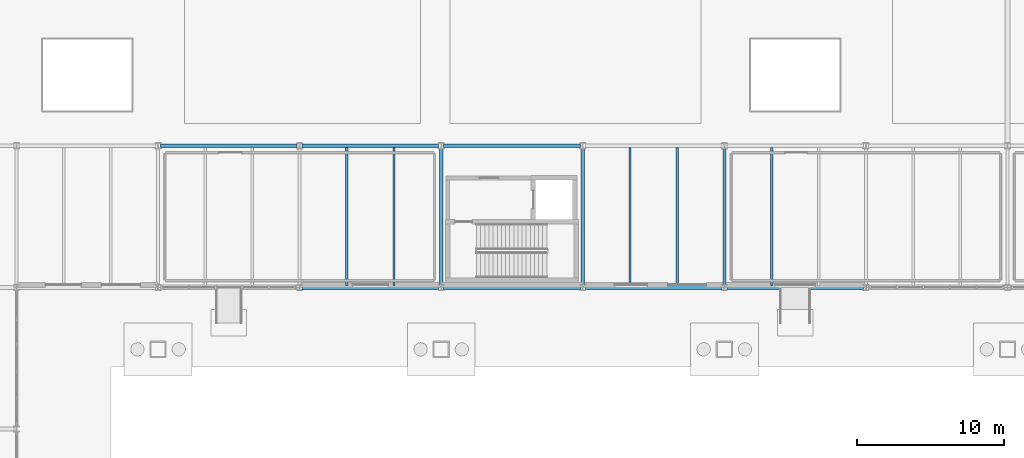
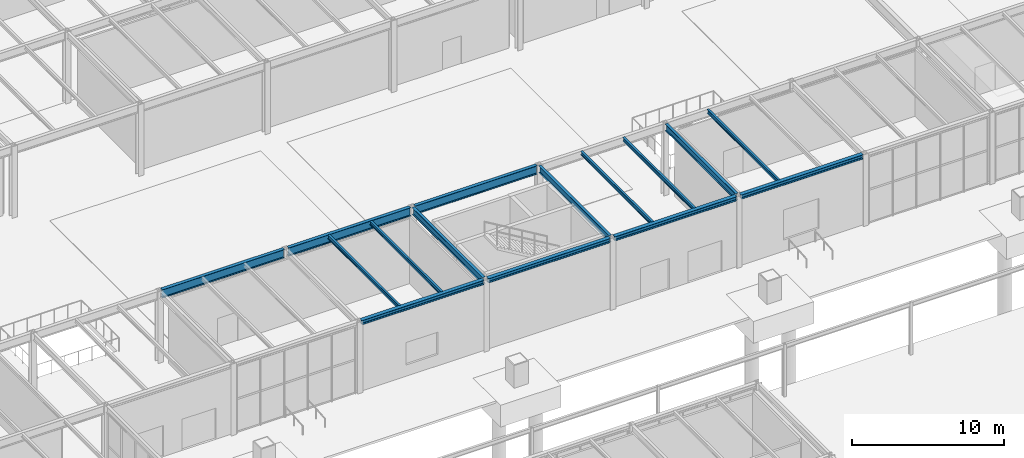
# One storey, part 67 of 142: 15 beams.
"""IFC4 building model written with IfcOpenShell, lengths in metres."""

import ifcopenshell
import ifcopenshell.guid

model = None  # the IFC model being written
_history = None  # IfcOwnerHistory: only IFC2X3 demands one
_inside = {}  # id of a spatial element -> (the spatial element, [elements in it])
_under = {}  # id of a project, library or spatial element -> (it, [spatial elements below it])
_declared = {}  # id of a project -> (the project, [libraries it declares])
_typed = {}  # id of a type object -> (the type object, [elements of that type])
_made_of = {}  # id of a material, layer set ... -> (it, [elements and type objects made of it])


def new_model(schema):
    """Start an empty IFC model of exactly this schema.

    Asked for "IFC4X3", IfcOpenShell would pick the latest addendum, in which some entities
    have other attributes; the version numbers below select the first issue.
    IFC2X3 requires an IfcOwnerHistory on every rooted entity: one is made here for all.
    """
    global model, _history
    if schema == "IFC4X3":
        model = ifcopenshell.file(schema_version=(4, 3, 0, 0))
    else:
        model = ifcopenshell.file(schema=schema)
    _inside.clear()
    _under.clear()
    _declared.clear()
    _typed.clear()
    _made_of.clear()
    _history = None
    if model.schema == "IFC2X3":
        org = make("IfcOrganization", Name="unknown")
        user = make(
            "IfcPersonAndOrganization",
            ThePerson=make("IfcPerson", FamilyName="unknown"),
            TheOrganization=org,
        )
        app = make(
            "IfcApplication",
            ApplicationDeveloper=org,
            Version="unknown",
            ApplicationFullName="unknown",
            ApplicationIdentifier="unknown",
        )
        _history = make(
            "IfcOwnerHistory",
            OwningUser=user,
            OwningApplication=app,
            ChangeAction="ADDED",
            CreationDate=0,
        )
    return model


def make(cls, **values):
    """One entity of the class cls with the attributes given. An attribute that is None is left unset."""
    return model.create_entity(
        cls, **{name: value for name, value in values.items() if value is not None}
    )


def rooted(cls, **values):
    """An entity with a GlobalId (a new one), such as an element, a storey or a relation."""
    return make(cls, GlobalId=ifcopenshell.guid.new(), OwnerHistory=_history, **values)


def si_unit(unit_type, name, prefix=None):
    """IfcSIUnit, for example si_unit("LENGTHUNIT", "METRE", prefix="MILLI")."""
    return make("IfcSIUnit", UnitType=unit_type, Prefix=prefix, Name=name)


def assignment(units):
    """IfcUnitAssignment: the units of a project."""
    return None if units is None else make("IfcUnitAssignment", Units=units)


def point(xyz):
    """IfcCartesianPoint."""
    return None if xyz is None else make("IfcCartesianPoint", Coordinates=xyz)


def direction(xyz):
    """IfcDirection."""
    return None if xyz is None else make("IfcDirection", DirectionRatios=xyz)


def frame(location, z_axis=None, x_axis=None):
    """IfcAxis2Placement3D, a coordinate frame: its origin and axes. An axis left out is left unset."""
    return make(
        "IfcAxis2Placement3D",
        Location=point(location),
        Axis=direction(z_axis),
        RefDirection=direction(x_axis),
    )


def frame_2d(location, x_axis=None):
    """IfcAxis2Placement2D, a coordinate frame in the plane: its origin and x axis."""
    return make(
        "IfcAxis2Placement2D", Location=point(location), RefDirection=direction(x_axis)
    )


def origin():
    """The frame at (0, 0, 0) with its axes left unset."""
    return frame((0.0, 0.0, 0.0))


def origin_2d():
    """The frame at (0, 0) in the plane with its x axis left unset."""
    return frame_2d((0.0, 0.0))


def place(relative_to, where):
    """IfcLocalPlacement: puts the frame where relative to a parent placement (None: the world)."""
    return make(
        "IfcLocalPlacement", PlacementRelTo=relative_to, RelativePlacement=where
    )


def context(
    kind, dimensions, precision=None, world=None, true_north=None, identifier=None
):
    """IfcGeometricRepresentationContext, for example the 3D "Model" context."""
    return make(
        "IfcGeometricRepresentationContext",
        ContextIdentifier=identifier,
        ContextType=kind,
        CoordinateSpaceDimension=dimensions,
        Precision=precision,
        WorldCoordinateSystem=world,
        TrueNorth=true_north,
    )


def subcontext(parent, identifier, kind, view, scale=None):
    """IfcGeometricRepresentationSubContext, for example "Body" below "Model"."""
    return make(
        "IfcGeometricRepresentationSubContext",
        ContextIdentifier=identifier,
        ContextType=kind,
        ParentContext=parent,
        TargetScale=scale,
        TargetView=view,
    )


def project(units=None, contexts=None):
    """IfcProject with its units and contexts."""
    return rooted(
        "IfcProject",
        Name="project",
        RepresentationContexts=contexts,
        UnitsInContext=assignment(units),
    )


def spatial(cls, under=None, at=None, **own):
    """A site, building, storey or space (cls), placed at a placement, below another one or the project."""
    s = rooted(cls, ObjectPlacement=at, **own)
    if under is not None:
        _under.setdefault(under.id(), (under, []))[1].append(s)
    return s


def profile(cls, at=None, kind="AREA", **sizes):
    """A parametric profile (cls). Its sizes go by their IFC names, for example OverallWidth=200.0."""
    return make(cls, ProfileType=kind, Position=at, **sizes)


def i_section(**sizes):
    """IfcIShapeProfileDef."""
    return profile("IfcIShapeProfileDef", **sizes)


def extrude(swept, where, along, depth):
    """IfcExtrudedAreaSolid: the profile swept, set in the frame where, extruded along a direction by depth."""
    return make(
        "IfcExtrudedAreaSolid",
        SweptArea=swept,
        Position=where,
        ExtrudedDirection=direction(along),
        Depth=depth,
    )


def shape(context_of_items, identifier, shape_type, items):
    """IfcShapeRepresentation: the items that make up one representation, for example the "Body"."""
    return make(
        "IfcShapeRepresentation",
        ContextOfItems=context_of_items,
        RepresentationIdentifier=identifier,
        RepresentationType=shape_type,
        Items=items,
    )


def material(Name=None, Category=None):
    """IfcMaterial."""
    return make("IfcMaterial", Name=Name, Category=Category)


def material_profile(
    of_material, cross_section, Name=None, Category=None, Priority=None
):
    """IfcMaterialProfile: a cross section and its material."""
    return make(
        "IfcMaterialProfile",
        Name=Name,
        Material=of_material,
        Profile=cross_section,
        Priority=Priority,
        Category=Category,
    )


def profile_set(profiles, Name=None, composite=None):
    """IfcMaterialProfileSet."""
    return make(
        "IfcMaterialProfileSet",
        Name=Name,
        MaterialProfiles=profiles,
        CompositeProfile=composite,
    )


def made_of(thing, what):
    """Note that an element or type object is made of a material, layer set ...; save() writes the relation."""
    if what is not None:
        _made_of.setdefault(what.id(), (what, []))[1].append(thing)
    return thing


def type_object(cls, material=None, **own):
    """A type object (cls), such as IfcWallType, which elements share."""
    return made_of(rooted(cls, **own), material)


def element(
    cls,
    number,
    at=None,
    inside=None,
    cuts=None,
    type_object=None,
    material=None,
    context=None,
    identifier="Body",
    shape_type=None,
    held_by="IfcProductDefinitionShape",
    body=None,
    shapes=None,
    **own,
):
    """One element of the class cls, such as IfcWall. Its Tag is "e" and its number.

    at: its placement. inside: the storey or other place that contains it. cuts: it is an
    opening in that element (IfcRelVoidsElement). A single representation is given by context,
    identifier, shape_type and body (its items); several are given by shapes. held_by: the class
    of the entity that holds the representations. save() writes the other relations.
    """
    e = rooted(cls, Tag="e%d" % number, ObjectPlacement=at, **own)
    if body is not None:
        shapes = [shape(context, identifier, shape_type, body)]
    if shapes is not None:
        e.Representation = make(held_by, Representations=shapes)
    if inside is not None:
        _inside.setdefault(inside.id(), (inside, []))[1].append(e)
    if cuts is not None:
        rooted(
            "IfcRelVoidsElement", RelatingBuildingElement=cuts, RelatedOpeningElement=e
        )
    if type_object is not None:
        _typed.setdefault(type_object.id(), (type_object, []))[1].append(e)
    return made_of(e, material)


def aggregate(whole, parts):
    """IfcRelAggregates: a whole, such as a stair, and the parts it consists of."""
    return rooted("IfcRelAggregates", RelatingObject=whole, RelatedObjects=parts)


def save(model, path):
    """Write the relations noted so far, then the file.

    IfcRelAggregates (storeys below a building ...), IfcRelContainedInSpatialStructure (elements
    in a storey), IfcRelDefinesByType, IfcRelAssociatesMaterial and IfcRelDeclares: one each for
    every whole, place, type object, material and project.
    """
    for whole, parts in _under.values():
        aggregate(whole, parts)
    for where, things in _inside.values():
        rooted(
            "IfcRelContainedInSpatialStructure",
            RelatedElements=things,
            RelatingStructure=where,
        )
    for kind, things in _typed.values():
        rooted("IfcRelDefinesByType", RelatedObjects=things, RelatingType=kind)
    for what, things in _made_of.values():
        rooted("IfcRelAssociatesMaterial", RelatedObjects=things, RelatingMaterial=what)
    for by, libraries in _declared.values():
        rooted("IfcRelDeclares", RelatingContext=by, RelatedDefinitions=libraries)
    model.write(path)


model = new_model("IFC4")

# Units and contexts
model_context = context("Model", 3, precision=1e-05, world=origin(), true_north=direction((0.0, 1.0)))
body_context = subcontext(model_context, "Body", "Model", "MODEL_VIEW")
ifc_project = project(units=[si_unit("LENGTHUNIT", "METRE"), si_unit("AREAUNIT", "SQUARE_METRE"), si_unit("VOLUMEUNIT", "CUBIC_METRE"), si_unit("PLANEANGLEUNIT", "RADIAN"), si_unit("MASSUNIT", "GRAM", prefix="KILO")], contexts=[model_context])

# Site, building, storey
site_placement = place(None, origin())
site = spatial("IfcSite", under=ifc_project, at=site_placement, CompositionType="ELEMENT")
building_placement = place(site_placement, origin())
building = spatial("IfcBuilding", under=site, at=building_placement, Name="Coralgate Yard Interchange", CompositionType="ELEMENT")
storey_placement = place(building_placement, origin())
storey = spatial("IfcBuildingStorey", under=building, at=storey_placement, Name="L00", CompositionType="ELEMENT", Elevation=0.0)

# Beams
ifc_material = material(Name="Structural steel S355J2", Category="steel")
ifc_material_profile_1 = material_profile(ifc_material, i_section(OverallWidth=0.209228515625, OverallDepth=0.533203125, WebThickness=0.010009765625, FlangeThickness=0.015625, FilletRadius=0.0126953125, at=origin_2d()), Name="UB 533x210x92")
ifc_profile_set_1 = profile_set([ifc_material_profile_1], Name="Structural steel S355J2")
beam_type_1 = type_object("IfcBeamType", Name="BM-SB-1", PredefinedType="BEAM", material=ifc_profile_set_1)
for number, where, z_axis, x_axis, name in (
    (1, (86.39990234375, 38.56689453125, 5.4833984375), (0.0, 1.0, 0.0), (-1.0, 0.0, 0.0), "L00 primary grid girder X9 Y4-5"),
    (2, (96.0, 38.56689453125, 5.4833984375), (0.0, 1.0, 0.0), (-1.0, 0.0, 0.0), "L00 primary grid girder X10 Y4-5"),
    (3, (105.60009765625, 38.56689453125, 5.4833984375), (0.0, 1.0, 0.0), (-1.0, 0.0, 0.0), "L00 primary grid girder X11 Y4-5"),
):
    element("IfcBeam", number, at=place(storey_placement, frame(where, z_axis=z_axis, x_axis=x_axis)), inside=storey, type_object=beam_type_1, Name=name, PredefinedType="BEAM", context=body_context, shape_type="SweptSolid", body=[
        extrude(i_section(OverallWidth=0.209228515625, OverallDepth=0.533203125, WebThickness=0.010009765625, FlangeThickness=0.015625, FilletRadius=0.0126953125, at=origin_2d()), origin(), (0.0, 0.0, 1.0), 9.266357421875),
    ])
ifc_material_profile_2 = material_profile(ifc_material, i_section(OverallWidth=0.253662109375, OverallDepth=0.68359375, WebThickness=0.012451171875, FlangeThickness=0.01904296875, FilletRadius=0.01513671875, at=origin_2d()), Name="UB 686x254x140")
ifc_profile_set_2 = profile_set([ifc_material_profile_2], Name="Structural steel S355J2")
beam_type_2 = type_object("IfcBeamType", Name="BM-SG-4", PredefinedType="BEAM", material=ifc_profile_set_2)
beam_placement = place(storey_placement, frame((67.369384765625, 48.0, 5.408203125), z_axis=(1.0, 0.0, 0.0), x_axis=(0.0, 1.0, 0.0)))
element("IfcBeam", 4, at=beam_placement, inside=storey, type_object=beam_type_2, Name="L00 primary grid beam Y5 X7-8", PredefinedType="BEAM", context=body_context, shape_type="SweptSolid", body=[
    extrude(i_section(OverallWidth=0.253662109375, OverallDepth=0.68359375, WebThickness=0.012451171875, FlangeThickness=0.01904296875, FilletRadius=0.01513671875, at=origin_2d()), origin(), (0.0, 0.0, 1.0), 9.26123046875),
])
for number, where, z_axis, x_axis, name in (
    (5, (76.969482421875, 48.0, 5.408203125), (1.0, 0.0, 0.0), (0.0, 1.0, 0.0), "L00 primary grid beam Y5 X8-9"),
    (6, (86.569580078125, 48.0, 5.408203125), (1.0, 0.0, 0.0), (0.0, 1.0, 0.0), "L00 primary grid beam Y5 X9-10"),
):
    element("IfcBeam", number, at=place(storey_placement, frame(where, z_axis=z_axis, x_axis=x_axis)), inside=storey, type_object=beam_type_2, Name=name, PredefinedType="BEAM", context=body_context, shape_type="SweptSolid", body=[
        extrude(i_section(OverallWidth=0.253662109375, OverallDepth=0.68359375, WebThickness=0.012451171875, FlangeThickness=0.01904296875, FilletRadius=0.01513671875, at=origin_2d()), origin(), (0.0, 0.0, 1.0), 9.260986328125),
    ])
ifc_material_profile_3 = material_profile(ifc_material, i_section(OverallWidth=0.1650390625, OverallDepth=0.303466796875, WebThickness=0.006103515625, FlangeThickness=0.01025390625, FilletRadius=0.0087890625, at=origin_2d()), Name="UB 305x165x40")
ifc_profile_set_3 = profile_set([ifc_material_profile_3], Name="Structural steel S355J2")
beam_type_3 = type_object("IfcBeamType", Name="BM-SJ-1", PredefinedType="JOIST", material=ifc_profile_set_3)
for number, where, z_axis, x_axis, name in (
    (7, (80.0, 38.52001953125, 5.598388671875), (0.0, 1.0, 0.0), (-1.0, 0.0, 0.0), "L00 composite floor joist 8-4-1"),
    (8, (83.199951171875, 38.52001953125, 5.598388671875), (0.0, 1.0, 0.0), (-1.0, 0.0, 0.0), "L00 composite floor joist 8-4-2"),
    (9, (99.199951171875, 38.52001953125, 5.598388671875), (0.0, 1.0, 0.0), (-1.0, 0.0, 0.0), "L00 composite floor joist 10-4-1"),
    (10, (102.39990234375, 38.52001953125, 5.598388671875), (0.0, 1.0, 0.0), (-1.0, 0.0, 0.0), "L00 composite floor joist 10-4-2"),
    (11, (108.800048828125, 38.52001953125, 5.598388671875), (0.0, 1.0, 0.0), (-1.0, 0.0, 0.0), "L00 composite floor joist 11-4-1"),
):
    element("IfcBeam", number, at=place(storey_placement, frame(where, z_axis=z_axis, x_axis=x_axis)), inside=storey, type_object=beam_type_3, Name=name, PredefinedType="JOIST", context=body_context, shape_type="SweptSolid", body=[
        extrude(i_section(OverallWidth=0.1650390625, OverallDepth=0.303466796875, WebThickness=0.006103515625, FlangeThickness=0.01025390625, FilletRadius=0.0087890625, at=origin_2d()), origin(), (0.0, 0.0, 1.0), 9.383056640625),
    ])
ifc_material_profile_4 = material_profile(ifc_material, i_section(OverallWidth=0.300048828125, OverallDepth=0.35009765625, WebThickness=0.010009765625, FlangeThickness=0.017578125, FilletRadius=0.027099609375, at=origin_2d()), Name="HEA 360")
ifc_profile_set_4 = profile_set([ifc_material_profile_4], Name="Structural steel S355J2")
beam_type_4 = type_object("IfcBeamType", Name="BM-SP-1", PredefinedType="SPANDREL", material=ifc_profile_set_4)
for number, where, z_axis, x_axis, name in (
    (12, (76.969482421875, 38.39990234375, 5.574951171875), (1.0, 0.0, 0.0), (0.0, 1.0, 0.0), "L00 primary grid beam Y4 X8-9"),
    (13, (86.569580078125, 38.39990234375, 5.574951171875), (1.0, 0.0, 0.0), (0.0, 1.0, 0.0), "L00 primary grid beam Y4 X9-10"),
    (14, (96.16943359375, 38.39990234375, 5.574951171875), (1.0, 0.0, 0.0), (0.0, 1.0, 0.0), "L00 primary grid beam Y4 X10-11"),
    (15, (105.76953125, 38.39990234375, 5.574951171875), (1.0, 0.0, 0.0), (0.0, 1.0, 0.0), "L00 primary grid beam Y4 X11-12"),
):
    element("IfcBeam", number, at=place(storey_placement, frame(where, z_axis=z_axis, x_axis=x_axis)), inside=storey, type_object=beam_type_4, Name=name, PredefinedType="SPANDREL", context=body_context, shape_type="SweptSolid", body=[
        extrude(i_section(OverallWidth=0.300048828125, OverallDepth=0.35009765625, WebThickness=0.010009765625, FlangeThickness=0.017578125, FilletRadius=0.027099609375, at=origin_2d()), origin(), (0.0, 0.0, 1.0), 9.260986328125),
    ])

save(model, "model.ifc")
